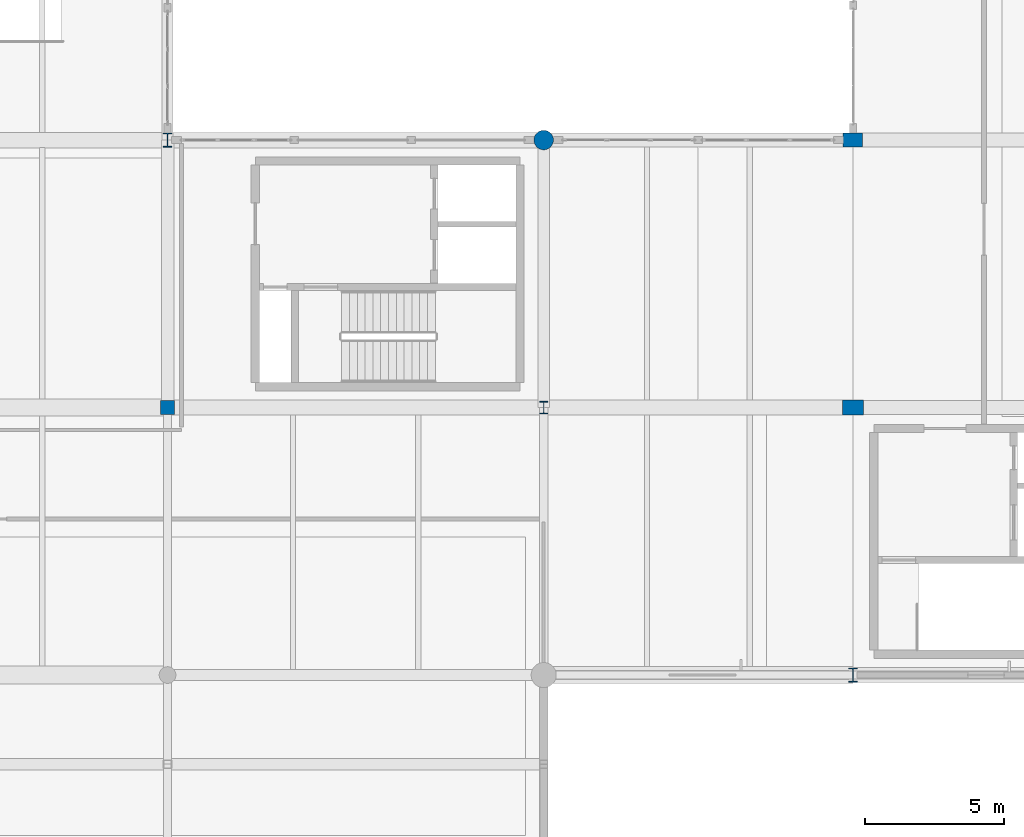
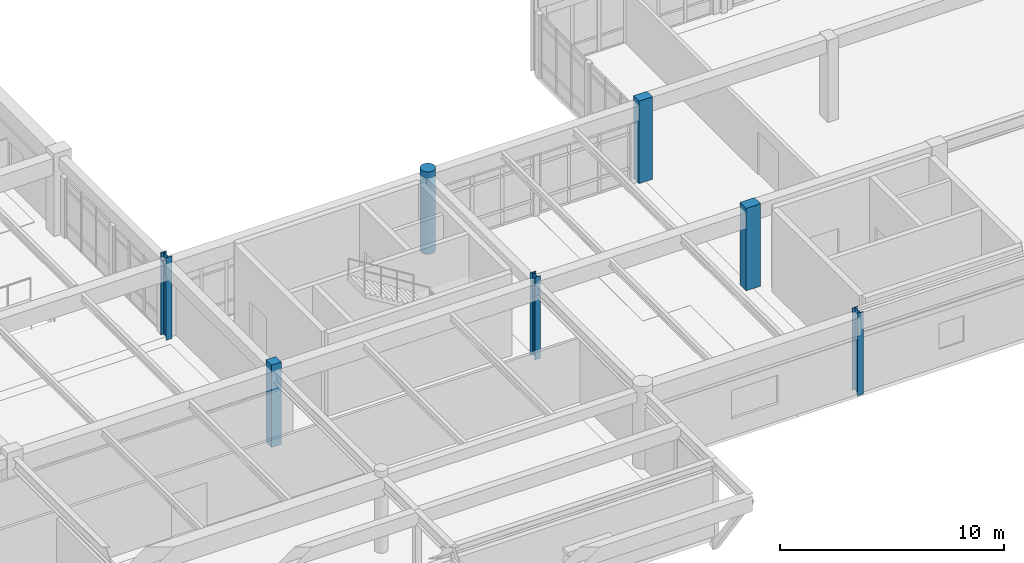
# One storey, part 6 of 80: 7 columns.
"""IFC4 building model written with IfcOpenShell, lengths in metres."""

import ifcopenshell
import ifcopenshell.guid

model = None  # the IFC model being written
_history = None  # IfcOwnerHistory: only IFC2X3 demands one
_inside = {}  # id of a spatial element -> (the spatial element, [elements in it])
_under = {}  # id of a project, library or spatial element -> (it, [spatial elements below it])
_declared = {}  # id of a project -> (the project, [libraries it declares])
_typed = {}  # id of a type object -> (the type object, [elements of that type])
_made_of = {}  # id of a material, layer set ... -> (it, [elements and type objects made of it])


def new_model(schema):
    """Start an empty IFC model of exactly this schema.

    Asked for "IFC4X3", IfcOpenShell would pick the latest addendum, in which some entities
    have other attributes; the version numbers below select the first issue.
    IFC2X3 requires an IfcOwnerHistory on every rooted entity: one is made here for all.
    """
    global model, _history
    if schema == "IFC4X3":
        model = ifcopenshell.file(schema_version=(4, 3, 0, 0))
    else:
        model = ifcopenshell.file(schema=schema)
    _inside.clear()
    _under.clear()
    _declared.clear()
    _typed.clear()
    _made_of.clear()
    _history = None
    if model.schema == "IFC2X3":
        org = make("IfcOrganization", Name="unknown")
        user = make(
            "IfcPersonAndOrganization",
            ThePerson=make("IfcPerson", FamilyName="unknown"),
            TheOrganization=org,
        )
        app = make(
            "IfcApplication",
            ApplicationDeveloper=org,
            Version="unknown",
            ApplicationFullName="unknown",
            ApplicationIdentifier="unknown",
        )
        _history = make(
            "IfcOwnerHistory",
            OwningUser=user,
            OwningApplication=app,
            ChangeAction="ADDED",
            CreationDate=0,
        )
    return model


def make(cls, **values):
    """One entity of the class cls with the attributes given. An attribute that is None is left unset."""
    return model.create_entity(
        cls, **{name: value for name, value in values.items() if value is not None}
    )


def rooted(cls, **values):
    """An entity with a GlobalId (a new one), such as an element, a storey or a relation."""
    return make(cls, GlobalId=ifcopenshell.guid.new(), OwnerHistory=_history, **values)


def si_unit(unit_type, name, prefix=None):
    """IfcSIUnit, for example si_unit("LENGTHUNIT", "METRE", prefix="MILLI")."""
    return make("IfcSIUnit", UnitType=unit_type, Prefix=prefix, Name=name)


def assignment(units):
    """IfcUnitAssignment: the units of a project."""
    return None if units is None else make("IfcUnitAssignment", Units=units)


def point(xyz):
    """IfcCartesianPoint."""
    return None if xyz is None else make("IfcCartesianPoint", Coordinates=xyz)


def direction(xyz):
    """IfcDirection."""
    return None if xyz is None else make("IfcDirection", DirectionRatios=xyz)


def frame(location, z_axis=None, x_axis=None):
    """IfcAxis2Placement3D, a coordinate frame: its origin and axes. An axis left out is left unset."""
    return make(
        "IfcAxis2Placement3D",
        Location=point(location),
        Axis=direction(z_axis),
        RefDirection=direction(x_axis),
    )


def frame_2d(location, x_axis=None):
    """IfcAxis2Placement2D, a coordinate frame in the plane: its origin and x axis."""
    return make(
        "IfcAxis2Placement2D", Location=point(location), RefDirection=direction(x_axis)
    )


def origin():
    """The frame at (0, 0, 0) with its axes left unset."""
    return frame((0.0, 0.0, 0.0))


def origin_2d():
    """The frame at (0, 0) in the plane with its x axis left unset."""
    return frame_2d((0.0, 0.0))


def place(relative_to, where):
    """IfcLocalPlacement: puts the frame where relative to a parent placement (None: the world)."""
    return make(
        "IfcLocalPlacement", PlacementRelTo=relative_to, RelativePlacement=where
    )


def context(
    kind, dimensions, precision=None, world=None, true_north=None, identifier=None
):
    """IfcGeometricRepresentationContext, for example the 3D "Model" context."""
    return make(
        "IfcGeometricRepresentationContext",
        ContextIdentifier=identifier,
        ContextType=kind,
        CoordinateSpaceDimension=dimensions,
        Precision=precision,
        WorldCoordinateSystem=world,
        TrueNorth=true_north,
    )


def subcontext(parent, identifier, kind, view, scale=None):
    """IfcGeometricRepresentationSubContext, for example "Body" below "Model"."""
    return make(
        "IfcGeometricRepresentationSubContext",
        ContextIdentifier=identifier,
        ContextType=kind,
        ParentContext=parent,
        TargetScale=scale,
        TargetView=view,
    )


def project(units=None, contexts=None):
    """IfcProject with its units and contexts."""
    return rooted(
        "IfcProject",
        Name="project",
        RepresentationContexts=contexts,
        UnitsInContext=assignment(units),
    )


def spatial(cls, under=None, at=None, **own):
    """A site, building, storey or space (cls), placed at a placement, below another one or the project."""
    s = rooted(cls, ObjectPlacement=at, **own)
    if under is not None:
        _under.setdefault(under.id(), (under, []))[1].append(s)
    return s


def profile(cls, at=None, kind="AREA", **sizes):
    """A parametric profile (cls). Its sizes go by their IFC names, for example OverallWidth=200.0."""
    return make(cls, ProfileType=kind, Position=at, **sizes)


def rectangle(**sizes):
    """IfcRectangleProfileDef."""
    return profile("IfcRectangleProfileDef", **sizes)


def circle(**sizes):
    """IfcCircleProfileDef."""
    return profile("IfcCircleProfileDef", **sizes)


def i_section(**sizes):
    """IfcIShapeProfileDef."""
    return profile("IfcIShapeProfileDef", **sizes)


def extrude(swept, where, along, depth):
    """IfcExtrudedAreaSolid: the profile swept, set in the frame where, extruded along a direction by depth."""
    return make(
        "IfcExtrudedAreaSolid",
        SweptArea=swept,
        Position=where,
        ExtrudedDirection=direction(along),
        Depth=depth,
    )


def shape(context_of_items, identifier, shape_type, items):
    """IfcShapeRepresentation: the items that make up one representation, for example the "Body"."""
    return make(
        "IfcShapeRepresentation",
        ContextOfItems=context_of_items,
        RepresentationIdentifier=identifier,
        RepresentationType=shape_type,
        Items=items,
    )


def material(Name=None, Category=None):
    """IfcMaterial."""
    return make("IfcMaterial", Name=Name, Category=Category)


def material_profile(
    of_material, cross_section, Name=None, Category=None, Priority=None
):
    """IfcMaterialProfile: a cross section and its material."""
    return make(
        "IfcMaterialProfile",
        Name=Name,
        Material=of_material,
        Profile=cross_section,
        Priority=Priority,
        Category=Category,
    )


def profile_set(profiles, Name=None, composite=None):
    """IfcMaterialProfileSet."""
    return make(
        "IfcMaterialProfileSet",
        Name=Name,
        MaterialProfiles=profiles,
        CompositeProfile=composite,
    )


def made_of(thing, what):
    """Note that an element or type object is made of a material, layer set ...; save() writes the relation."""
    if what is not None:
        _made_of.setdefault(what.id(), (what, []))[1].append(thing)
    return thing


def type_object(cls, material=None, **own):
    """A type object (cls), such as IfcWallType, which elements share."""
    return made_of(rooted(cls, **own), material)


def element(
    cls,
    number,
    at=None,
    inside=None,
    cuts=None,
    type_object=None,
    material=None,
    context=None,
    identifier="Body",
    shape_type=None,
    held_by="IfcProductDefinitionShape",
    body=None,
    shapes=None,
    **own,
):
    """One element of the class cls, such as IfcWall. Its Tag is "e" and its number.

    at: its placement. inside: the storey or other place that contains it. cuts: it is an
    opening in that element (IfcRelVoidsElement). A single representation is given by context,
    identifier, shape_type and body (its items); several are given by shapes. held_by: the class
    of the entity that holds the representations. save() writes the other relations.
    """
    e = rooted(cls, Tag="e%d" % number, ObjectPlacement=at, **own)
    if body is not None:
        shapes = [shape(context, identifier, shape_type, body)]
    if shapes is not None:
        e.Representation = make(held_by, Representations=shapes)
    if inside is not None:
        _inside.setdefault(inside.id(), (inside, []))[1].append(e)
    if cuts is not None:
        rooted(
            "IfcRelVoidsElement", RelatingBuildingElement=cuts, RelatedOpeningElement=e
        )
    if type_object is not None:
        _typed.setdefault(type_object.id(), (type_object, []))[1].append(e)
    return made_of(e, material)


def aggregate(whole, parts):
    """IfcRelAggregates: a whole, such as a stair, and the parts it consists of."""
    return rooted("IfcRelAggregates", RelatingObject=whole, RelatedObjects=parts)


def save(model, path):
    """Write the relations noted so far, then the file.

    IfcRelAggregates (storeys below a building ...), IfcRelContainedInSpatialStructure (elements
    in a storey), IfcRelDefinesByType, IfcRelAssociatesMaterial and IfcRelDeclares: one each for
    every whole, place, type object, material and project.
    """
    for whole, parts in _under.values():
        aggregate(whole, parts)
    for where, things in _inside.values():
        rooted(
            "IfcRelContainedInSpatialStructure",
            RelatedElements=things,
            RelatingStructure=where,
        )
    for kind, things in _typed.values():
        rooted("IfcRelDefinesByType", RelatedObjects=things, RelatingType=kind)
    for what, things in _made_of.values():
        rooted("IfcRelAssociatesMaterial", RelatedObjects=things, RelatingMaterial=what)
    for by, libraries in _declared.values():
        rooted("IfcRelDeclares", RelatingContext=by, RelatedDefinitions=libraries)
    model.write(path)


model = new_model("IFC4")

# Units and contexts
model_context = context("Model", 3, precision=1e-05, world=origin(), true_north=direction((0.0, 1.0)))
body_context = subcontext(model_context, "Body", "Model", "MODEL_VIEW")
ifc_project = project(units=[si_unit("LENGTHUNIT", "METRE"), si_unit("AREAUNIT", "SQUARE_METRE"), si_unit("VOLUMEUNIT", "CUBIC_METRE"), si_unit("PLANEANGLEUNIT", "RADIAN"), si_unit("MASSUNIT", "GRAM", prefix="KILO")], contexts=[model_context])

# Site, building, storey
site_placement = place(None, origin())
site = spatial("IfcSite", under=ifc_project, at=site_placement, CompositionType="ELEMENT")
building_placement = place(site_placement, origin())
building = spatial("IfcBuilding", under=site, at=building_placement, Name="Fikremerkos Civic Library", CompositionType="ELEMENT")
storey_placement = place(building_placement, frame((0.0, 0.0, 9.89990234375)))
storey = spatial("IfcBuildingStorey", under=building, at=storey_placement, Name="L02", CompositionType="ELEMENT", Elevation=9.89990234375)

# Columns
ifc_material_1 = material(Name="Concrete C40/50", Category="concrete")
ifc_material_profile_1 = material_profile(ifc_material_1, rectangle(XDim=0.5, YDim=0.5, at=origin_2d()), Name="RC 500x500")
ifc_profile_set_1 = profile_set([ifc_material_profile_1], Name="Concrete C40/50")
column_type_1 = type_object("IfcColumnType", Name="Structural column COL-11 RC 500x500", PredefinedType="COLUMN", material=ifc_profile_set_1)
column_1_placement = place(storey_placement, frame((100.199951171875, 21.60009765625, 0.0), z_axis=(0.0, 0.0, 1.0), x_axis=(1.0, 0.0, 0.0)))
element("IfcColumn", 1, at=column_1_placement, inside=storey, type_object=column_type_1, Name="Column COL-11 L02 9/F", PredefinedType="COLUMN", context=body_context, shape_type="SweptSolid", body=[
    extrude(rectangle(XDim=0.5, YDim=0.5, at=origin_2d()), origin(), (0.0, 0.0, 1.0), 4.5),
])
ifc_material_profile_2 = material_profile(ifc_material_1, rectangle(XDim=0.75, YDim=0.550048828125, at=origin_2d()), Name="RC 750x550")
ifc_profile_set_2 = profile_set([ifc_material_profile_2], Name="Concrete C40/50")
column_type_2 = type_object("IfcColumnType", Name="Structural column COL-15 RC 750x550", PredefinedType="COLUMN", material=ifc_profile_set_2)
column_2_placement = place(storey_placement, frame((124.800048828125, 21.60009765625, 0.0), z_axis=(0.0, 0.0, 1.0), x_axis=(1.0, 0.0, 0.0)))
element("IfcColumn", 2, at=column_2_placement, inside=storey, type_object=column_type_2, Name="Column COL-15 L02 11/F", PredefinedType="COLUMN", context=body_context, shape_type="SweptSolid", body=[
    extrude(rectangle(XDim=0.75, YDim=0.550048828125, at=origin_2d()), origin(), (0.0, 0.0, 1.0), 4.5),
])
ifc_material_profile_3 = material_profile(ifc_material_1, rectangle(XDim=0.699951171875, YDim=0.5, at=origin_2d()), Name="RC 700x500")
ifc_profile_set_3 = profile_set([ifc_material_profile_3], Name="Concrete C40/50")
column_type_3 = type_object("IfcColumnType", Name="Structural column COL-16 RC 700x500", PredefinedType="COLUMN", material=ifc_profile_set_3)
column_3_placement = place(storey_placement, frame((124.800048828125, 31.199951171875, 0.0), z_axis=(0.0, 0.0, 1.0), x_axis=(1.0, 0.0, 0.0)))
element("IfcColumn", 3, at=column_3_placement, inside=storey, type_object=column_type_3, Name="Column COL-16 L02 11/G", PredefinedType="COLUMN", context=body_context, shape_type="SweptSolid", body=[
    extrude(rectangle(XDim=0.699951171875, YDim=0.5, at=origin_2d()), origin(), (0.0, 0.0, 1.0), 4.5),
])
ifc_material_profile_4 = material_profile(ifc_material_1, circle(Radius=0.35009765625, at=origin_2d()), Name="RC D700")
ifc_profile_set_4 = profile_set([ifc_material_profile_4], Name="Concrete C40/50")
column_type_4 = type_object("IfcColumnType", Name="Structural column COL-19 RC D700", PredefinedType="COLUMN", material=ifc_profile_set_4)
column_4_placement = place(storey_placement, frame((113.699951171875, 31.199951171875, 0.0), z_axis=(0.0, 0.0, 1.0), x_axis=(1.0, 0.0, 0.0)))
element("IfcColumn", 4, at=column_4_placement, inside=storey, type_object=column_type_4, Name="Column COL-19 L02 10/G", PredefinedType="COLUMN", context=body_context, shape_type="SweptSolid", body=[
    extrude(circle(Radius=0.35009765625, at=origin_2d()), origin(), (0.0, 0.0, 1.0), 4.5),
])
ifc_material_2 = material(Name="Steel S355", Category="steel")
ifc_material_profile_5 = material_profile(ifc_material_2, i_section(OverallWidth=0.300048828125, OverallDepth=0.5, WebThickness=0.014404296875, FlangeThickness=0.028076171875, FilletRadius=0.027099609375, at=origin_2d()), Name="HEB 500")
ifc_profile_set_5 = profile_set([ifc_material_profile_5], Name="Steel S355")
column_type_5 = type_object("IfcColumnType", Name="Structural column COL-22 HEB 500", PredefinedType="COLUMN", material=ifc_profile_set_5)
for number, where, z_axis, x_axis, name in (
    (5, (100.199951171875, 31.199951171875, 0.0), (0.0, 0.0, 1.0), (1.0, 0.0, 0.0), "Column COL-22 L02 9/G"),
    (6, (124.800048828125, 12.0, 0.0), (0.0, 0.0, 1.0), (1.0, 0.0, 0.0), "Column COL-22 L02 11/E"),
):
    element("IfcColumn", number, at=place(storey_placement, frame(where, z_axis=z_axis, x_axis=x_axis)), inside=storey, type_object=column_type_5, Name=name, PredefinedType="COLUMN", context=body_context, shape_type="SweptSolid", body=[
        extrude(i_section(OverallWidth=0.300048828125, OverallDepth=0.5, WebThickness=0.014404296875, FlangeThickness=0.028076171875, FilletRadius=0.027099609375, at=origin_2d()), origin(), (0.0, 0.0, 1.0), 4.5),
    ])
ifc_material_profile_6 = material_profile(ifc_material_2, i_section(OverallWidth=0.300048828125, OverallDepth=0.43994140625, WebThickness=0.011474609375, FlangeThickness=0.02099609375, FilletRadius=0.027099609375, at=origin_2d()), Name="HEA 450")
ifc_profile_set_6 = profile_set([ifc_material_profile_6], Name="Steel S355")
column_type_6 = type_object("IfcColumnType", Name="Structural column COL-28 HEA 450", PredefinedType="COLUMN", material=ifc_profile_set_6)
column_5_placement = place(storey_placement, frame((113.699951171875, 21.60009765625, 0.0), z_axis=(0.0, 0.0, 1.0), x_axis=(1.0, 0.0, 0.0)))
element("IfcColumn", 7, at=column_5_placement, inside=storey, type_object=column_type_6, Name="Column COL-28 L02 10/F", PredefinedType="COLUMN", context=body_context, shape_type="SweptSolid", body=[
    extrude(i_section(OverallWidth=0.300048828125, OverallDepth=0.43994140625, WebThickness=0.011474609375, FlangeThickness=0.02099609375, FilletRadius=0.027099609375, at=origin_2d()), origin(), (0.0, 0.0, 1.0), 4.5),
])

save(model, "model.ifc")
